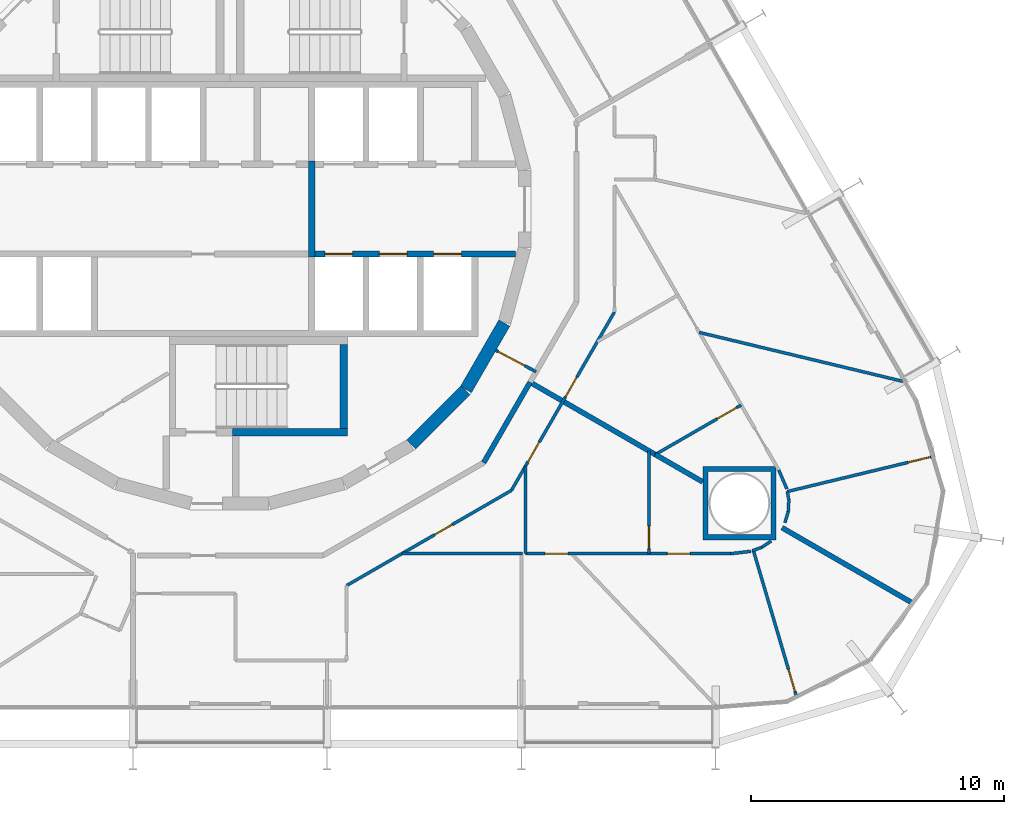
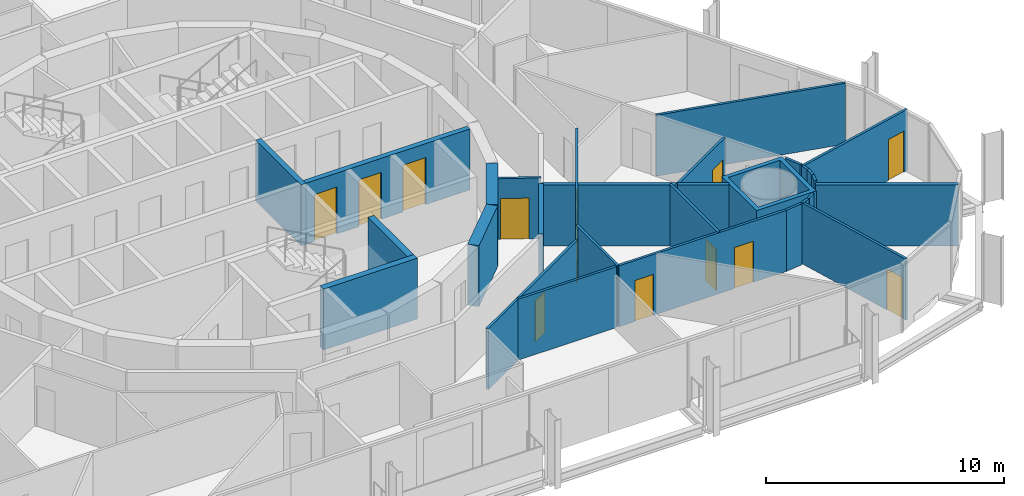
# One storey, part 16 of 21: 29 walls, 13 doors, 13 openings.
"""IFC4 building model written with IfcOpenShell, lengths in metres."""

from ifc_helpers import new_model, si_unit, direction, frame, frame_2d, origin, place, context, subcontext, project, spatial, polyline, rectangle, outline, extrude, material, layer, layer_set, type_object, element, fill, save


model = new_model("IFC4")

# Units and contexts
model_context = context("Model", 3, precision=1e-05, world=origin(), true_north=direction((0.0, 1.0)))
body_context = subcontext(model_context, "Body", "Model", "MODEL_VIEW")
ifc_project = project(units=[si_unit("LENGTHUNIT", "METRE"), si_unit("AREAUNIT", "SQUARE_METRE"), si_unit("VOLUMEUNIT", "CUBIC_METRE"), si_unit("PLANEANGLEUNIT", "RADIAN"), si_unit("MASSUNIT", "GRAM", prefix="KILO")], contexts=[model_context])

# Site, building, storey
site_placement = place(None, origin())
site = spatial("IfcSite", under=ifc_project, at=site_placement, CompositionType="ELEMENT")
building_placement = place(site_placement, origin())
building = spatial("IfcBuilding", under=site, at=building_placement, Name="Spindle Arch Residences", CompositionType="ELEMENT")
storey_placement = place(building_placement, frame((0.0, 0.0, 55.89990234375)))
storey = spatial("IfcBuildingStorey", under=building, at=storey_placement, Name="L12", CompositionType="ELEMENT", Elevation=55.89990234375)

# Walls
ifc_material_1 = material(Name="Concrete C50/60", Category="concrete")
ifc_layer_1 = layer(ifc_material_1, 0.5)
ifc_layer_set_1 = layer_set([ifc_layer_1], Name="Core outline wall 500")
wall_type_1 = type_object("IfcWallType", Name="Core outline wall 500", PredefinedType="SHEAR", material=ifc_layer_set_1)
wall_1_placement = place(storey_placement, frame((7.163818359375, -9.30810546875, 0.0), z_axis=(0.0, 0.0, 1.0), x_axis=(0.707106781187, 0.707106781187, 0.0)))
element("IfcWall", 1, at=wall_1_placement, inside=storey, type_object=wall_type_1, Name="Core outline wall 3", PredefinedType="SHEAR", context=body_context, shape_type="SweptSolid", body=[
    extrude(rectangle(XDim=3.032470703125, YDim=0.5, at=frame_2d((1.51611328125, 0.0))), origin(), (0.0, 0.0, 1.0), 3.1201171875),
])
wall_2_placement = place(storey_placement, frame((9.32861328125, -7.13671875, 0.0), z_axis=(0.0, 0.0, 1.0), x_axis=(0.500087131594, 0.865975092491, 0.0)))
element("IfcWall", 2, at=wall_2_placement, inside=storey, type_object=wall_type_1, Name="Core outline wall 4", PredefinedType="SHEAR", context=body_context, shape_type="SweptSolid", body=[
    extrude(rectangle(XDim=3.03271484375, YDim=0.5, at=frame_2d((1.516357421875, 0.0))), origin(), (0.0, 0.0, 1.0), 3.1201171875),
])

# Wall, opening, door
ifc_material_2 = material(Name="Plasterboard on steel studs", Category="steel")
ifc_layer_2 = layer(ifc_material_2, 0.1201171875)
ifc_layer_set_2 = layer_set([ifc_layer_2], Name="Corridor division wall 120")
wall_type_2 = type_object("IfcWallType", Name="Corridor division wall 120", PredefinedType="PARTITIONING", material=ifc_layer_set_2)
wall_3_placement = place(storey_placement, frame((10.510986328125, -5.5888671875, 0.0), z_axis=(0.0, 0.0, 1.0), x_axis=(0.88294043061, -0.469485032769, 0.0)))
wall_3 = element("IfcWall", 3, at=wall_3_placement, inside=storey, type_object=wall_type_2, Name="Corridor division wall R1B1-W002", PredefinedType="PARTITIONING", context=body_context, shape_type="SweptSolid", body=[
    extrude(rectangle(XDim=1.803955078125, YDim=0.1201171875, at=frame_2d((0.90185546875, 0.0))), origin(), (0.0, 0.0, 1.0), 3.1201171875),
])
opening_1_placement = place(wall_3_placement, frame((0.10009765625, 0.0, 0.0)))
opening_1 = element("IfcOpeningElement", 4, at=opening_1_placement, cuts=wall_3, Name="Opening R1B1-CD02", PredefinedType="OPENING", context=body_context, shape_type="SweptSolid", body=[
    extrude(rectangle(XDim=1.199951171875, YDim=2.10009765625, at=frame_2d((0.60009765625, 1.050048828125))), frame((0.0, 0.070068359375, 0.0), z_axis=(0.0, -1.0, 0.0), x_axis=(1.0, 0.0, 0.0)), (0.0, 0.0, 1.0), 0.14013671875),
])
ifc_material_3 = material(Name="Steel, fire-resisting door", Category="steel")
door_type_1 = type_object("IfcDoorType", Name="Corridor division door 1200x2100", OperationType="NOTDEFINED", PredefinedType="DOOR", material=ifc_material_3)
door_1_placement = place(opening_1_placement, origin())
door_1 = element("IfcDoor", 5, at=door_1_placement, inside=storey, type_object=door_type_1, Name="Corridor division door R1B1-CD02", OperationType="DOUBLE_DOOR_SINGLE_SWING", OverallHeight=2.10009765625, OverallWidth=1.199951171875, PredefinedType="DOOR", context=body_context, shape_type="SweptSolid", body=[
    extrude(rectangle(XDim=1.199951171875, YDim=2.10009765625, at=frame_2d((0.60009765625, 1.050048828125))), frame((0.0, 0.02490234375, 0.0), z_axis=(0.0, -1.0, 0.0), x_axis=(1.0, 0.0, 0.0)), (0.0, 0.0, 1.0), 0.050048828125),
])
fill(opening_1, door_1)

# Walls
ifc_material_4 = material(Name="Calcium silicate block, plastered")
ifc_layer_3 = layer(ifc_material_4, 0.199951171875)
ifc_layer_set_3 = layer_set([ifc_layer_3], Name="Corridor wall 200")
wall_type_3 = type_object("IfcWallType", Name="Corridor wall 200", PredefinedType="STANDARD", material=ifc_layer_set_3)
wall_4_placement = place(storey_placement, frame((10.029052734375, -10.029052734375, 0.0), z_axis=(0.0, 0.0, 1.0), x_axis=(0.50001606911, 0.866016126081, 0.0)))
element("IfcWall", 6, at=wall_4_placement, inside=storey, type_object=wall_type_3, Name="Corridor wall R1B1-W016", PredefinedType="STANDARD", context=body_context, shape_type="SweptSolid", body=[
    extrude(rectangle(XDim=3.6708984375, YDim=0.199951171875, at=frame_2d((1.83544921875, 0.0))), origin(), (0.0, 0.0, 1.0), 3.1201171875),
])
ifc_material_5 = material(Name="Concrete C40/50", Category="concrete")
ifc_layer_4 = layer(ifc_material_5, 0.25)
ifc_layer_set_4 = layer_set([ifc_layer_4], Name="Fire-lift lobby wall 250")
wall_type_4 = type_object("IfcWallType", Name="Fire-lift lobby wall 250", PredefinedType="SHEAR", material=ifc_layer_set_4)
wall_5_placement = place(storey_placement, frame((3.22509765625, -1.89990234375, 0.0), z_axis=(0.0, 0.0, 1.0), x_axis=(0.0, 1.0, 0.0)))
element("IfcWall", 7, at=wall_5_placement, inside=storey, type_object=wall_type_4, Name="Fire-fighting lobby partition", PredefinedType="SHEAR", context=body_context, shape_type="SweptSolid", body=[
    extrude(rectangle(XDim=3.7998046875, YDim=0.25, at=frame_2d((1.89990234375, 0.0))), origin(), (0.0, 0.0, 1.0), 3.1201171875),
])

# Wall, openings, doors
ifc_material_6 = material(Name="Concrete C50/60", Category="concrete")
ifc_layer_5 = layer(ifc_material_6, 0.25)
ifc_layer_set_5 = layer_set([ifc_layer_5], Name="Fire-lift shaft wall 250")
wall_type_5 = type_object("IfcWallType", Name="Fire-lift shaft wall 250", PredefinedType="SHEAR", material=ifc_layer_set_5)
wall_6_placement = place(storey_placement, frame((3.35009765625, -1.77490234375, 0.0), z_axis=(0.0, 0.0, 1.0), x_axis=(1.0, 0.0, 0.0)))
wall_6 = element("IfcWall", 8, at=wall_6_placement, inside=storey, type_object=wall_type_5, Name="Lift shaft front wall SE", PredefinedType="SHEAR", context=body_context, shape_type="SweptSolid", body=[
    extrude(rectangle(XDim=7.929931640625, YDim=0.25, at=frame_2d((3.96484375, 0.0))), origin(), (0.0, 0.0, 1.0), 3.1201171875),
])
opening_2_placement = place(wall_6_placement, frame((0.39990234375, 0.0, 0.0)))
opening_2 = element("IfcOpeningElement", 9, at=opening_2_placement, cuts=wall_6, Name="Opening R1B1-FLD01", PredefinedType="OPENING", context=body_context, shape_type="SweptSolid", body=[
    extrude(rectangle(XDim=1.10009765625, YDim=2.39990234375, at=frame_2d((0.550048828125, 1.199951171875))), frame((0.0, 0.135009765625, 0.0), z_axis=(0.0, -1.0, 0.0), x_axis=(1.0, 0.0, 0.0)), (0.0, 0.0, 1.0), 0.27001953125),
])
opening_3_placement = place(wall_6_placement, frame((2.550048828125, 0.0, 0.0)))
opening_3 = element("IfcOpeningElement", 10, at=opening_3_placement, cuts=wall_6, Name="Opening R1B1-FLD02", PredefinedType="OPENING", context=body_context, shape_type="SweptSolid", body=[
    extrude(rectangle(XDim=1.10009765625, YDim=2.39990234375, at=frame_2d((0.550048828125, 1.199951171875))), frame((0.0, 0.135009765625, 0.0), z_axis=(0.0, -1.0, 0.0), x_axis=(1.0, 0.0, 0.0)), (0.0, 0.0, 1.0), 0.27001953125),
])
opening_4_placement = place(wall_6_placement, frame((4.699951171875, 0.0, 0.0)))
opening_4 = element("IfcOpeningElement", 11, at=opening_4_placement, cuts=wall_6, Name="Opening R1B1-FLD03", PredefinedType="OPENING", context=body_context, shape_type="SweptSolid", body=[
    extrude(rectangle(XDim=1.10009765625, YDim=2.39990234375, at=frame_2d((0.550048828125, 1.199951171875))), frame((0.0, 0.135009765625, 0.0), z_axis=(0.0, -1.0, 0.0), x_axis=(1.0, 0.0, 0.0)), (0.0, 0.0, 1.0), 0.27001953125),
])
ifc_material_7 = material(Name="Steel, fire-resisting landing door", Category="steel")
door_type_2 = type_object("IfcDoorType", Name="Fire-fighting lift landing door 1100x2400", OperationType="DOUBLE_DOOR_SLIDING", PredefinedType="DOOR", material=ifc_material_7)
door_2_placement = place(opening_2_placement, origin())
door_2 = element("IfcDoor", 12, at=door_2_placement, inside=storey, type_object=door_type_2, Name="Fire-fighting lift landing door R1B1-FLD01", OperationType="DOUBLE_DOOR_SLIDING", OverallHeight=2.39990234375, OverallWidth=1.10009765625, PredefinedType="DOOR", context=body_context, shape_type="SweptSolid", body=[
    extrude(rectangle(XDim=1.10009765625, YDim=2.39990234375, at=frame_2d((0.550048828125, 1.199951171875))), frame((0.0, 0.02490234375, 0.0), z_axis=(0.0, -1.0, 0.0), x_axis=(1.0, 0.0, 0.0)), (0.0, 0.0, 1.0), 0.050048828125),
])
fill(opening_2, door_2)
door_3_placement = place(opening_3_placement, origin())
door_3 = element("IfcDoor", 13, at=door_3_placement, inside=storey, type_object=door_type_2, Name="Fire-fighting lift landing door R1B1-FLD02", OperationType="DOUBLE_DOOR_SLIDING", OverallHeight=2.39990234375, OverallWidth=1.10009765625, PredefinedType="DOOR", context=body_context, shape_type="SweptSolid", body=[
    extrude(rectangle(XDim=1.10009765625, YDim=2.39990234375, at=frame_2d((0.550048828125, 1.199951171875))), frame((0.0, 0.02490234375, 0.0), z_axis=(0.0, -1.0, 0.0), x_axis=(1.0, 0.0, 0.0)), (0.0, 0.0, 1.0), 0.050048828125),
])
fill(opening_3, door_3)
door_4_placement = place(opening_4_placement, origin())
door_4 = element("IfcDoor", 14, at=door_4_placement, inside=storey, type_object=door_type_2, Name="Fire-fighting lift landing door R1B1-FLD03", OperationType="DOUBLE_DOOR_SLIDING", OverallHeight=2.39990234375, OverallWidth=1.10009765625, PredefinedType="DOOR", context=body_context, shape_type="SweptSolid", body=[
    extrude(rectangle(XDim=1.10009765625, YDim=2.39990234375, at=frame_2d((0.550048828125, 1.199951171875))), frame((0.0, 0.02490234375, 0.0), z_axis=(0.0, -1.0, 0.0), x_axis=(1.0, 0.0, 0.0)), (0.0, 0.0, 1.0), 0.050048828125),
])
fill(opening_4, door_4)

# Wall, opening, door
ifc_material_8 = material(Name="Plasterboard on steel studs", Category="steel")
ifc_layer_6 = layer(ifc_material_8, 0.1201171875)
ifc_layer_set_6 = layer_set([ifc_layer_6], Name="Flat partition 120")
wall_type_6 = type_object("IfcWallType", Name="Flat partition 120", PredefinedType="PARTITIONING", material=ifc_layer_set_6)
wall_7_placement = place(storey_placement, frame((4.612548828125, -14.888427734375, 0.0), z_axis=(0.0, 0.0, 1.0), x_axis=(0.866025608725, 0.499999645032, 0.0)))
wall_7 = element("IfcWall", 15, at=wall_7_placement, inside=storey, type_object=wall_type_6, Name="Flat partition R1B1-W098", PredefinedType="PARTITIONING", context=body_context, shape_type="SweptSolid", body=[
    extrude(rectangle(XDim=7.5224609375, YDim=0.1201171875, at=frame_2d((3.76123046875, 0.0))), origin(), (0.0, 0.0, 1.0), 3.1201171875),
])
opening_5_placement = place(wall_7_placement, frame((4.01708984375, 0.0, 0.0)))
opening_5 = element("IfcOpeningElement", 16, at=opening_5_placement, cuts=wall_7, Name="Opening R1B1-BD05", PredefinedType="OPENING", context=body_context, shape_type="SweptSolid", body=[
    extrude(rectangle(XDim=0.800048828125, YDim=2.10009765625, at=frame_2d((0.39990234375, 1.050048828125))), frame((0.0, 0.070068359375, 0.0), z_axis=(0.0, -1.0, 0.0), x_axis=(1.0, 0.0, 0.0)), (0.0, 0.0, 1.0), 0.14013671875),
])
ifc_material_9 = material(Name="Timber door set", Category="wood")
door_type_3 = type_object("IfcDoorType", Name="Bathroom door 800x2100", OperationType="NOTDEFINED", PredefinedType="DOOR", material=ifc_material_9)
door_5_placement = place(opening_5_placement, origin())
door_5 = element("IfcDoor", 17, at=door_5_placement, inside=storey, type_object=door_type_3, Name="Bathroom door R1B1-BD05", OperationType="SINGLE_SWING_RIGHT", OverallHeight=2.10009765625, OverallWidth=0.800048828125, PredefinedType="DOOR", context=body_context, shape_type="SweptSolid", body=[
    extrude(rectangle(XDim=0.800048828125, YDim=2.10009765625, at=frame_2d((0.39990234375, 1.050048828125))), frame((0.0, 0.02490234375, 0.0), z_axis=(0.0, -1.0, 0.0), x_axis=(1.0, 0.0, 0.0)), (0.0, 0.0, 1.0), 0.050048828125),
])
fill(opening_5, door_5)

# Wall, openings, doors
wall_8_placement = place(storey_placement, frame((11.127197265625, -11.127197265625, 0.0), z_axis=(0.0, 0.0, 1.0), x_axis=(0.499987950692, 0.866032360344, 0.0)))
wall_8 = element("IfcWall", 18, at=wall_8_placement, inside=storey, type_object=wall_type_6, Name="Flat partition R1B1-W099", PredefinedType="PARTITIONING", context=body_context, shape_type="SweptSolid", body=[
    extrude(rectangle(XDim=8.145751953125, YDim=0.1201171875, at=frame_2d((4.07275390625, 0.0))), origin(), (0.0, 0.0, 1.0), 3.1201171875),
])
opening_6_placement = place(wall_8_placement, frame((1.302734375, 0.0, 0.0)))
opening_6 = element("IfcOpeningElement", 19, at=opening_6_placement, cuts=wall_8, Name="Opening R1B1-ID26", PredefinedType="OPENING", context=body_context, shape_type="SweptSolid", body=[
    extrude(rectangle(XDim=0.89990234375, YDim=2.10009765625, at=frame_2d((0.449951171875, 1.050048828125))), frame((0.0, 0.070068359375, 0.0), z_axis=(0.0, -1.0, 0.0), x_axis=(1.0, 0.0, 0.0)), (0.0, 0.0, 1.0), 0.14013671875),
])
opening_7_placement = place(wall_8_placement, frame((4.272705078125, 0.0, 0.0)))
opening_7 = element("IfcOpeningElement", 20, at=opening_7_placement, cuts=wall_8, Name="Opening R1B1-ID32", PredefinedType="OPENING", context=body_context, shape_type="SweptSolid", body=[
    extrude(rectangle(XDim=0.89990234375, YDim=2.10009765625, at=frame_2d((0.449951171875, 1.050048828125))), frame((0.0, 0.070068359375, 0.0), z_axis=(0.0, -1.0, 0.0), x_axis=(1.0, 0.0, 0.0)), (0.0, 0.0, 1.0), 0.14013671875),
])
ifc_material_10 = material(Name="Timber door set", Category="wood")
door_type_4 = type_object("IfcDoorType", Name="Room door 900x2100", OperationType="NOTDEFINED", PredefinedType="DOOR", material=ifc_material_10)
door_6_placement = place(opening_6_placement, origin())
door_6 = element("IfcDoor", 21, at=door_6_placement, inside=storey, type_object=door_type_4, Name="Room door R1B1-ID26", OperationType="SINGLE_SWING_RIGHT", OverallHeight=2.10009765625, OverallWidth=0.89990234375, PredefinedType="DOOR", context=body_context, shape_type="SweptSolid", body=[
    extrude(rectangle(XDim=0.89990234375, YDim=2.10009765625, at=frame_2d((0.449951171875, 1.050048828125))), frame((0.0, 0.02490234375, 0.0), z_axis=(0.0, -1.0, 0.0), x_axis=(1.0, 0.0, 0.0)), (0.0, 0.0, 1.0), 0.050048828125),
])
fill(opening_6, door_6)
door_7_placement = place(opening_7_placement, origin())
door_7 = element("IfcDoor", 22, at=door_7_placement, inside=storey, type_object=door_type_4, Name="Room door R1B1-ID32", OperationType="SINGLE_SWING_LEFT", OverallHeight=2.10009765625, OverallWidth=0.89990234375, PredefinedType="DOOR", context=body_context, shape_type="SweptSolid", body=[
    extrude(rectangle(XDim=0.89990234375, YDim=2.10009765625, at=frame_2d((0.449951171875, 1.050048828125))), frame((0.0, 0.02490234375, 0.0), z_axis=(0.0, -1.0, 0.0), x_axis=(1.0, 0.0, 0.0)), (0.0, 0.0, 1.0), 0.050048828125),
])
fill(opening_7, door_7)

# Walls
wall_9_placement = place(storey_placement, frame((11.56005859375, -13.6298828125, 0.0), z_axis=(0.0, 0.0, 1.0), x_axis=(-1.0, 0.0, 0.0)))
element("IfcWall", 23, at=wall_9_placement, inside=storey, type_object=wall_type_6, Name="Flat partition R1B1-W101", PredefinedType="PARTITIONING", context=body_context, shape_type="SweptSolid", body=[
    extrude(rectangle(XDim=4.767822265625, YDim=0.1201171875, at=frame_2d((2.3837890625, 0.0))), origin(), (0.0, 0.0, 1.0), 3.1201171875),
])
wall_10_placement = place(storey_placement, frame((11.678466796875, -13.6298828125, 0.0), z_axis=(0.0, 0.0, 1.0), x_axis=(0.0, 1.0, 0.0)))
element("IfcWall", 24, at=wall_10_placement, inside=storey, type_object=wall_type_6, Name="Flat partition R1B1-W103", PredefinedType="PARTITIONING", context=body_context, shape_type="SweptSolid", body=[
    extrude(rectangle(XDim=3.457763671875, YDim=0.1201171875, at=frame_2d((1.72900390625, 0.0))), origin(), (0.0, 0.0, 1.0), 3.1201171875),
])

# Wall, openings, doors
wall_11_placement = place(storey_placement, frame((19.794189453125, -13.6298828125, 0.0), z_axis=(0.0, 0.0, 1.0), x_axis=(-1.0, 0.0, 0.0)))
wall_11 = element("IfcWall", 25, at=wall_11_placement, inside=storey, type_object=wall_type_6, Name="Flat partition R1B1-W105", PredefinedType="PARTITIONING", context=body_context, shape_type="SweptSolid", body=[
    extrude(rectangle(XDim=8.11572265625, YDim=0.1201171875, at=frame_2d((4.057861328125, 0.0))), origin(), (0.0, 0.0, 1.0), 3.1201171875),
])
opening_8_placement = place(wall_11_placement, frame((6.435546875, 0.0, 0.0)))
opening_8 = element("IfcOpeningElement", 26, at=opening_8_placement, cuts=wall_11, Name="Opening R1B1-ID27", PredefinedType="OPENING", context=body_context, shape_type="SweptSolid", body=[
    extrude(rectangle(XDim=0.89990234375, YDim=2.10009765625, at=frame_2d((0.449951171875, 1.050048828125))), frame((0.0, 0.070068359375, 0.0), z_axis=(0.0, -1.0, 0.0), x_axis=(1.0, 0.0, 0.0)), (0.0, 0.0, 1.0), 0.14013671875),
])
opening_9_placement = place(wall_11_placement, frame((1.60009765625, 0.0, 0.0)))
opening_9 = element("IfcOpeningElement", 27, at=opening_9_placement, cuts=wall_11, Name="Opening R1B1-ID29", PredefinedType="OPENING", context=body_context, shape_type="SweptSolid", body=[
    extrude(rectangle(XDim=0.89990234375, YDim=2.10009765625, at=frame_2d((0.449951171875, 1.050048828125))), frame((0.0, 0.070068359375, 0.0), z_axis=(0.0, -1.0, 0.0), x_axis=(1.0, 0.0, 0.0)), (0.0, 0.0, 1.0), 0.14013671875),
])
door_8_placement = place(opening_8_placement, origin())
door_8 = element("IfcDoor", 28, at=door_8_placement, inside=storey, type_object=door_type_4, Name="Room door R1B1-ID27", OperationType="SINGLE_SWING_RIGHT", OverallHeight=2.10009765625, OverallWidth=0.89990234375, PredefinedType="DOOR", context=body_context, shape_type="SweptSolid", body=[
    extrude(rectangle(XDim=0.89990234375, YDim=2.10009765625, at=frame_2d((0.449951171875, 1.050048828125))), frame((0.0, 0.02490234375, 0.0), z_axis=(0.0, -1.0, 0.0), x_axis=(1.0, 0.0, 0.0)), (0.0, 0.0, 1.0), 0.050048828125),
])
fill(opening_8, door_8)
door_9_placement = place(opening_9_placement, origin())
door_9 = element("IfcDoor", 29, at=door_9_placement, inside=storey, type_object=door_type_4, Name="Room door R1B1-ID29", OperationType="SINGLE_SWING_RIGHT", OverallHeight=2.10009765625, OverallWidth=0.89990234375, PredefinedType="DOOR", context=body_context, shape_type="SweptSolid", body=[
    extrude(rectangle(XDim=0.89990234375, YDim=2.10009765625, at=frame_2d((0.449951171875, 1.050048828125))), frame((0.0, 0.02490234375, 0.0), z_axis=(0.0, -1.0, 0.0), x_axis=(1.0, 0.0, 0.0)), (0.0, 0.0, 1.0), 0.050048828125),
])
fill(opening_9, door_9)

# Wall, opening, door
wall_12_placement = place(storey_placement, frame((22.395751953125, -19.26611328125, 0.0), z_axis=(0.0, 0.0, 1.0), x_axis=(-0.282896205585, 0.959150528783, 0.0)))
wall_12 = element("IfcWall", 30, at=wall_12_placement, inside=storey, type_object=wall_type_6, Name="Flat partition R1B1-W106", PredefinedType="PARTITIONING", context=body_context, shape_type="SweptSolid", body=[
    extrude(rectangle(XDim=6.01171875, YDim=0.1201171875, at=frame_2d((3.005859375, 0.0))), origin(), (0.0, 0.0, 1.0), 3.1201171875),
])
opening_10_placement = place(wall_12_placement, frame((0.199951171875, 0.0, 0.0)))
opening_10 = element("IfcOpeningElement", 31, at=opening_10_placement, cuts=wall_12, Name="Opening R1B1-ID30", PredefinedType="OPENING", context=body_context, shape_type="SweptSolid", body=[
    extrude(rectangle(XDim=0.89990234375, YDim=2.10009765625, at=frame_2d((0.449951171875, 1.050048828125))), frame((0.0, 0.070068359375, 0.0), z_axis=(0.0, -1.0, 0.0), x_axis=(1.0, 0.0, 0.0)), (0.0, 0.0, 1.0), 0.14013671875),
])
door_10_placement = place(opening_10_placement, origin())
door_10 = element("IfcDoor", 32, at=door_10_placement, inside=storey, type_object=door_type_4, Name="Room door R1B1-ID30", OperationType="SINGLE_SWING_RIGHT", OverallHeight=2.10009765625, OverallWidth=0.89990234375, PredefinedType="DOOR", context=body_context, shape_type="SweptSolid", body=[
    extrude(rectangle(XDim=0.89990234375, YDim=2.10009765625, at=frame_2d((0.449951171875, 1.050048828125))), frame((0.0, 0.02490234375, 0.0), z_axis=(0.0, -1.0, 0.0), x_axis=(1.0, 0.0, 0.0)), (0.0, 0.0, 1.0), 0.050048828125),
])
fill(opening_10, door_10)

# Wall
wall_13_placement = place(storey_placement, frame((20.595458984375, -13.536376953125, 0.0), z_axis=(0.0, 0.0, 1.0), x_axis=(-0.993259655268, -0.115910556968, 0.0)))
element("IfcWall", 33, at=wall_13_placement, inside=storey, type_object=wall_type_6, Name="Flat partition R1B1-W107", PredefinedType="PARTITIONING", context=body_context, shape_type="SweptSolid", body=[
    extrude(rectangle(XDim=0.806640625, YDim=0.1201171875, at=frame_2d((0.4033203125, 0.0))), origin(), (0.0, 0.0, 1.0), 3.1201171875),
])

# Wall, opening, door
wall_14_placement = place(storey_placement, frame((16.564697265625, -13.6298828125, 0.0), z_axis=(0.0, 0.0, 1.0), x_axis=(0.0, 1.0, 0.0)))
wall_14 = element("IfcWall", 34, at=wall_14_placement, inside=storey, type_object=wall_type_6, Name="Flat partition R1B1-W108", PredefinedType="PARTITIONING", context=body_context, shape_type="SweptSolid", body=[
    extrude(rectangle(XDim=4.066162109375, YDim=0.1201171875, at=frame_2d((2.033203125, 0.0))), origin(), (0.0, 0.0, 1.0), 3.1201171875),
])
opening_11_placement = place(wall_14_placement, frame((0.199951171875, 0.0, 0.0)))
opening_11 = element("IfcOpeningElement", 35, at=opening_11_placement, cuts=wall_14, Name="Opening R1B1-ID28", PredefinedType="OPENING", context=body_context, shape_type="SweptSolid", body=[
    extrude(rectangle(XDim=0.89990234375, YDim=2.10009765625, at=frame_2d((0.449951171875, 1.050048828125))), frame((0.0, 0.070068359375, 0.0), z_axis=(0.0, -1.0, 0.0), x_axis=(1.0, 0.0, 0.0)), (0.0, 0.0, 1.0), 0.14013671875),
])
door_11_placement = place(opening_11_placement, origin())
door_11 = element("IfcDoor", 36, at=door_11_placement, inside=storey, type_object=door_type_4, Name="Room door R1B1-ID28", OperationType="SINGLE_SWING_RIGHT", OverallHeight=2.10009765625, OverallWidth=0.89990234375, PredefinedType="DOOR", context=body_context, shape_type="SweptSolid", body=[
    extrude(rectangle(XDim=0.89990234375, YDim=2.10009765625, at=frame_2d((0.449951171875, 1.050048828125))), frame((0.0, 0.02490234375, 0.0), z_axis=(0.0, -1.0, 0.0), x_axis=(1.0, 0.0, 0.0)), (0.0, 0.0, 1.0), 0.050048828125),
])
fill(opening_11, door_11)

# Walls
wall_15_placement = place(storey_placement, frame((21.40283203125, -13.130615234375, 0.0), z_axis=(0.0, 0.0, 1.0), x_axis=(-0.835339231854, -0.549734815821, 0.0)))
element("IfcWall", 37, at=wall_15_placement, inside=storey, type_object=wall_type_6, Name="Flat partition R1B1-W109", PredefinedType="PARTITIONING", context=body_context, shape_type="SweptSolid", body=[
    extrude(rectangle(XDim=0.454833984375, YDim=0.1201171875, at=frame_2d((0.2275390625, 0.0))), origin(), (0.0, 0.0, 1.0), 3.1201171875),
])
wall_16_placement = place(storey_placement, frame((21.02294921875, -13.380615234375, 0.0), z_axis=(0.0, 0.0, 1.0), x_axis=(-0.939665068469, -0.34209583321, 0.0)))
element("IfcWall", 38, at=wall_16_placement, inside=storey, type_object=wall_type_6, Name="Flat partition R1B1-W110", PredefinedType="PARTITIONING", context=body_context, shape_type="SweptSolid", body=[
    extrude(rectangle(XDim=0.388916015625, YDim=0.1201171875, at=frame_2d((0.1943359375, 0.0))), origin(), (0.0, 0.0, 1.0), 3.1201171875),
])
wall_17_placement = place(storey_placement, frame((21.9423828125, -12.40576171875, 0.0), z_axis=(0.0, 0.0, 1.0), x_axis=(0.287101711529, 0.957900102953, 0.0)))
element("IfcWall", 39, at=wall_17_placement, inside=storey, type_object=wall_type_6, Name="Flat partition R1B1-W117", PredefinedType="PARTITIONING", context=body_context, shape_type="SweptSolid", body=[
    extrude(rectangle(XDim=0.454833984375, YDim=0.1201171875, at=frame_2d((0.2275390625, 0.0))), origin(), (0.0, 0.0, 1.0), 3.1201171875),
])
wall_18_placement = place(storey_placement, frame((22.072998046875, -11.969970703125, 0.0), z_axis=(0.0, 0.0, 1.0), x_axis=(0.058533144572, 0.998285465679, 0.0)))
element("IfcWall", 40, at=wall_18_placement, inside=storey, type_object=wall_type_6, Name="Flat partition R1B1-W118", PredefinedType="PARTITIONING", context=body_context, shape_type="SweptSolid", body=[
    extrude(rectangle(XDim=0.45458984375, YDim=0.1201171875, at=frame_2d((0.227294921875, 0.0))), origin(), (0.0, 0.0, 1.0), 3.1201171875),
])
wall_19_placement = place(storey_placement, frame((22.099609375, -11.51611328125, 0.0), z_axis=(0.0, 0.0, 1.0), x_axis=(-0.174264410128, 0.984698895786, 0.0)))
element("IfcWall", 41, at=wall_19_placement, inside=storey, type_object=wall_type_6, Name="Flat partition R1B1-W119", PredefinedType="PARTITIONING", context=body_context, shape_type="SweptSolid", body=[
    extrude(rectangle(XDim=0.348876953125, YDim=0.1201171875, at=frame_2d((0.17431640625, 0.0))), origin(), (0.0, 0.0, 1.0), 3.1201171875),
])

# Wall, opening, door
wall_20_placement = place(storey_placement, frame((20.212158203125, -7.748779296875, 0.0), z_axis=(0.0, 0.0, 1.0), x_axis=(-0.86604663799, -0.499963219473, 0.0)))
wall_20 = element("IfcWall", 42, at=wall_20_placement, inside=storey, type_object=wall_type_6, Name="Flat partition R1B1-W120", PredefinedType="PARTITIONING", context=body_context, shape_type="SweptSolid", body=[
    extrude(rectangle(XDim=3.920654296875, YDim=0.1201171875, at=frame_2d((1.96044921875, 0.0))), origin(), (0.0, 0.0, 1.0), 3.1201171875),
])
opening_12_placement = place(wall_20_placement, frame((0.199951171875, 0.0, 0.0)))
opening_12 = element("IfcOpeningElement", 43, at=opening_12_placement, cuts=wall_20, Name="Opening R1B1-ID34", PredefinedType="OPENING", context=body_context, shape_type="SweptSolid", body=[
    extrude(rectangle(XDim=0.89990234375, YDim=2.10009765625, at=frame_2d((0.449951171875, 1.050048828125))), frame((0.0, 0.070068359375, 0.0), z_axis=(0.0, -1.0, 0.0), x_axis=(1.0, 0.0, 0.0)), (0.0, 0.0, 1.0), 0.14013671875),
])
door_12_placement = place(opening_12_placement, origin())
door_12 = element("IfcDoor", 44, at=door_12_placement, inside=storey, type_object=door_type_4, Name="Room door R1B1-ID34", OperationType="SINGLE_SWING_LEFT", OverallHeight=2.10009765625, OverallWidth=0.89990234375, PredefinedType="DOOR", context=body_context, shape_type="SweptSolid", body=[
    extrude(rectangle(XDim=0.89990234375, YDim=2.10009765625, at=frame_2d((0.449951171875, 1.050048828125))), frame((0.0, 0.02490234375, 0.0), z_axis=(0.0, -1.0, 0.0), x_axis=(1.0, 0.0, 0.0)), (0.0, 0.0, 1.0), 0.050048828125),
])
fill(opening_12, door_12)

# Wall
wall_21_placement = place(storey_placement, frame((22.0205078125, -11.068115234375, 0.0), z_axis=(0.0, 0.0, 1.0), x_axis=(-0.396036092975, 0.918234944369, 0.0)))
element("IfcWall", 45, at=wall_21_placement, inside=storey, type_object=wall_type_6, Name="Flat partition R1B1-W121", PredefinedType="PARTITIONING", context=body_context, shape_type="SweptSolid", body=[
    extrude(rectangle(XDim=0.806884765625, YDim=0.1201171875, at=frame_2d((0.4033203125, 0.0))), origin(), (0.0, 0.0, 1.0), 3.1201171875),
])

# Wall, opening, door
wall_22_placement = place(storey_placement, frame((27.8828125, -9.76220703125, 0.0), z_axis=(0.0, 0.0, 1.0), x_axis=(-0.972090512558, -0.234606128213, 0.0)))
wall_22 = element("IfcWall", 46, at=wall_22_placement, inside=storey, type_object=wall_type_6, Name="Flat partition R1B1-W123", PredefinedType="PARTITIONING", context=body_context, shape_type="SweptSolid", body=[
    extrude(rectangle(XDim=6.01171875, YDim=0.1201171875, at=frame_2d((3.005859375, 0.0))), origin(), (0.0, 0.0, 1.0), 3.1201171875),
])
opening_13_placement = place(wall_22_placement, frame((0.199951171875, 0.0, 0.0)))
opening_13 = element("IfcOpeningElement", 47, at=opening_13_placement, cuts=wall_22, Name="Opening R1B1-ID36", PredefinedType="OPENING", context=body_context, shape_type="SweptSolid", body=[
    extrude(rectangle(XDim=0.89990234375, YDim=2.10009765625, at=frame_2d((0.449951171875, 1.050048828125))), frame((0.0, 0.070068359375, 0.0), z_axis=(0.0, -1.0, 0.0), x_axis=(1.0, 0.0, 0.0)), (0.0, 0.0, 1.0), 0.14013671875),
])
door_13_placement = place(opening_13_placement, origin())
door_13 = element("IfcDoor", 48, at=door_13_placement, inside=storey, type_object=door_type_4, Name="Room door R1B1-ID36", OperationType="SINGLE_SWING_LEFT", OverallHeight=2.10009765625, OverallWidth=0.89990234375, PredefinedType="DOOR", context=body_context, shape_type="SweptSolid", body=[
    extrude(rectangle(XDim=0.89990234375, YDim=2.10009765625, at=frame_2d((0.449951171875, 1.050048828125))), frame((0.0, 0.02490234375, 0.0), z_axis=(0.0, -1.0, 0.0), x_axis=(1.0, 0.0, 0.0)), (0.0, 0.0, 1.0), 0.050048828125),
])
fill(opening_13, door_13)

# Walls
wall_23_placement = place(storey_placement, frame((26.60009765625, -6.81298828125, 0.0), z_axis=(0.0, 0.0, 1.0), x_axis=(-0.972306888212, 0.233707755831, 0.0)))
element("IfcWall", 49, at=wall_23_placement, inside=storey, type_object=wall_type_6, Name="Flat partition R1B1-W125", PredefinedType="PARTITIONING", context=body_context, shape_type="SweptSolid", body=[
    extrude(rectangle(XDim=8.2734375, YDim=0.1201171875, at=frame_2d((4.13671875, 0.0))), origin(), (0.0, 0.0, 1.0), 3.1201171875),
])
ifc_material_11 = material(Name="Calcium silicate block, plastered")
ifc_layer_7 = layer(ifc_material_11, 0.199951171875)
ifc_layer_set_7 = layer_set([ifc_layer_7], Name="Flat party wall 200")
wall_type_7 = type_object("IfcWallType", Name="Flat party wall 200", PredefinedType="STANDARD", material=ifc_layer_set_7)
wall_24_placement = place(storey_placement, frame((16.816650390625, -9.708984375, 0.0), z_axis=(0.0, 0.0, 1.0), x_axis=(-0.86604338933, 0.499968846828, 0.0)))
element("IfcWall", 50, at=wall_24_placement, inside=storey, type_object=wall_type_7, Name="Flat party wall R1B1-W026", PredefinedType="STANDARD", context=body_context, shape_type="SweptSolid", body=[
    extrude(rectangle(XDim=5.718017578125, YDim=0.199951171875, at=frame_2d((2.85888671875, 0.0))), origin(), (0.0, 0.0, 1.0), 3.1201171875),
])
wall_25_placement = place(storey_placement, frame((27.02490234375, -15.602783203125, 0.0), z_axis=(0.0, 0.0, 1.0), x_axis=(-0.866020924479, 0.500007758305, 0.0)))
element("IfcWall", 51, at=wall_25_placement, inside=storey, type_object=wall_type_7, Name="Flat party wall R1B1-W027", PredefinedType="STANDARD", context=body_context, shape_type="SweptSolid", body=[
    extrude(rectangle(XDim=6.0, YDim=0.199951171875, at=frame_2d((3.0, 0.0))), origin(), (0.0, 0.0, 1.0), 3.1201171875),
])
wall_26_placement = place(storey_placement, frame((18.693603515625, -10.792724609375, 0.0), z_axis=(0.0, 0.0, 1.0), x_axis=(-0.866009251978, 0.500027974705, 0.0)))
element("IfcWall", 52, at=wall_26_placement, inside=storey, type_object=wall_type_7, Name="Flat party wall R1B1-W028", PredefinedType="STANDARD", context=body_context, shape_type="SweptSolid", body=[
    extrude(rectangle(XDim=2.16748046875, YDim=0.199951171875, at=frame_2d((1.083740234375, 0.0))), origin(), (0.0, 0.0, 1.0), 3.1201171875),
])
ifc_material_12 = material(Name="Calcium silicate block, plastered")
ifc_layer_8 = layer(ifc_material_12, 0.199951171875)
ifc_layer_set_8 = layer_set([ifc_layer_8], Name="Mega-column casing wall 200")
wall_type_8 = type_object("IfcWallType", Name="Mega-column casing wall 200", PredefinedType="STANDARD", material=ifc_layer_set_8)
wall_27_placement = place(storey_placement, origin())
element("IfcWall", 53, at=wall_27_placement, inside=storey, type_object=wall_type_8, Name="Mega-column casing wall R1B1-WC03", PredefinedType="STANDARD", context=body_context, shape_type="SweptSolid", body=[
    extrude(outline(polyline([(21.593505859375, -10.179931640625), (21.593505859375, -13.079833984375), (18.693603515625, -13.079833984375), (18.693603515625, -10.179931640625), (21.593505859375, -10.179931640625)]), holes=[polyline([(18.8935546875, -12.8798828125), (21.3935546875, -12.8798828125), (21.3935546875, -10.3798828125), (18.8935546875, -10.3798828125), (18.8935546875, -12.8798828125)])]), origin(), (0.0, 0.0, 1.0), 3.1201171875),
])
ifc_material_13 = material(Name="Concrete C50/60", Category="concrete")
ifc_layer_9 = layer(ifc_material_13, 0.300048828125)
ifc_layer_set_9 = layer_set([ifc_layer_9], Name="Stair enclosure wall 300")
wall_type_9 = type_object("IfcWallType", Name="Stair enclosure wall 300", PredefinedType="SHEAR", material=ifc_layer_set_9)
wall_28_placement = place(storey_placement, frame((4.5, -8.669921875, 0.0), z_axis=(0.0, 0.0, 1.0), x_axis=(0.0, 1.0, 0.0)))
element("IfcWall", 54, at=wall_28_placement, inside=storey, type_object=wall_type_9, Name="Stair ST-3 enclosure wall E", PredefinedType="SHEAR", context=body_context, shape_type="SweptSolid", body=[
    extrude(rectangle(XDim=3.31982421875, YDim=0.300048828125, at=frame_2d((1.659912109375, 0.0))), origin(), (0.0, 0.0, 1.0), 3.1201171875),
])
wall_29_placement = place(storey_placement, frame((0.10009765625, -8.820068359375, 0.0), z_axis=(0.0, 0.0, 1.0), x_axis=(1.0, 0.0, 0.0)))
element("IfcWall", 55, at=wall_29_placement, inside=storey, type_object=wall_type_9, Name="Stair ST-3 enclosure wall S", PredefinedType="SHEAR", context=body_context, shape_type="SweptSolid", body=[
    extrude(rectangle(XDim=4.5498046875, YDim=0.300048828125, at=frame_2d((2.27490234375, 0.0))), origin(), (0.0, 0.0, 1.0), 3.1201171875),
])

save(model, "model.ifc")
